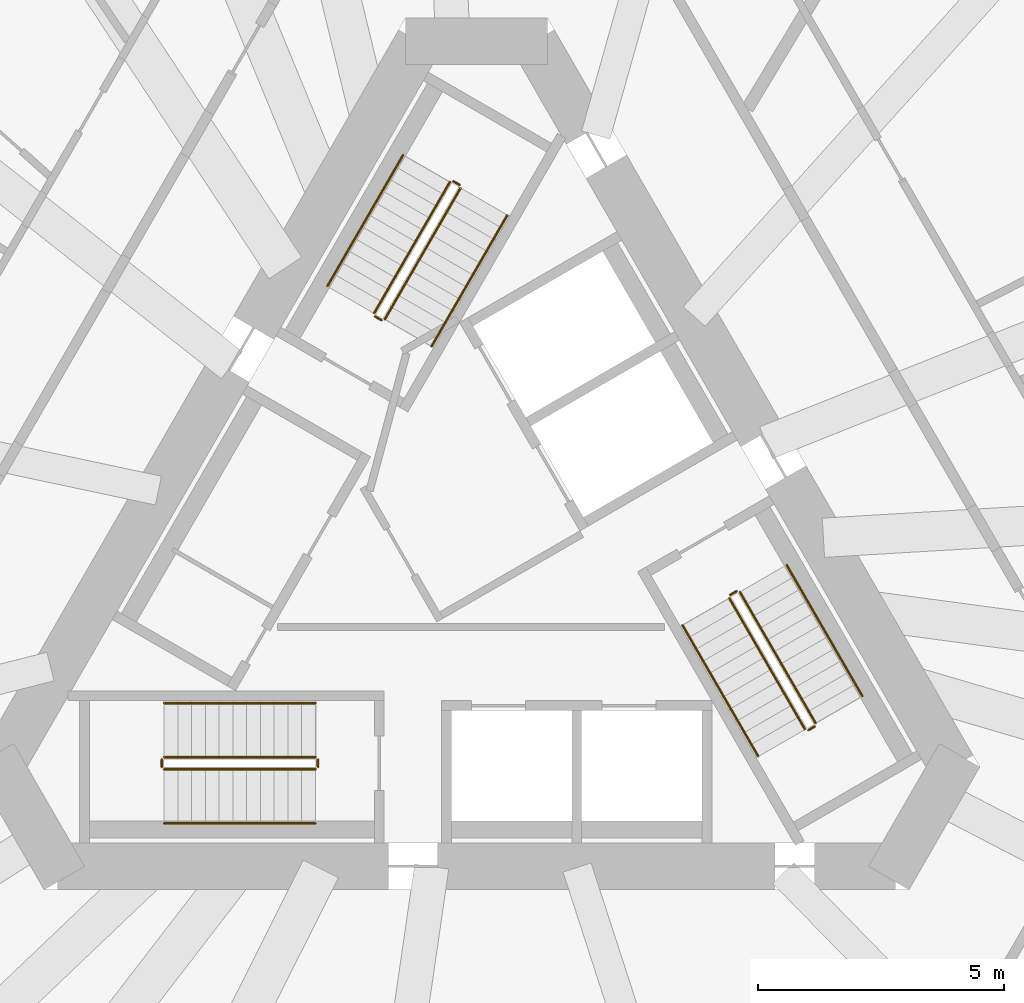
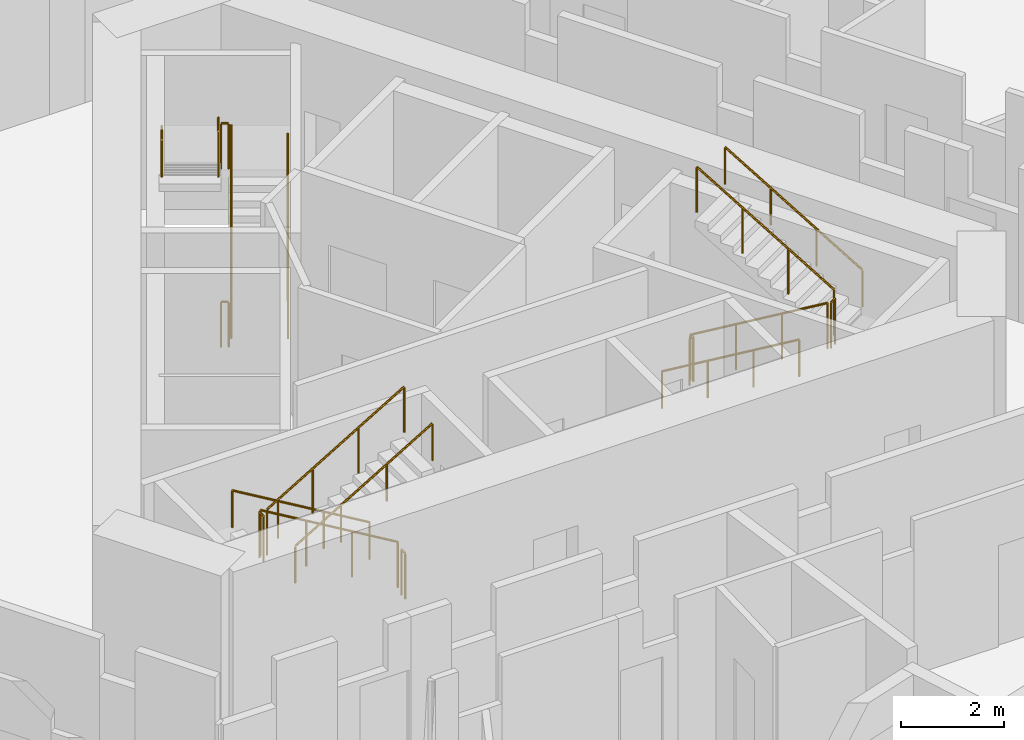
# One storey, part 12 of 13: 18 railings.
"""IFC4 building model written with IfcOpenShell, lengths in metres."""

from ifc_helpers import new_model, si_unit, direction, frame, origin, origin_2d, place, context, subcontext, project, spatial, circle, extrude, material, type_object, element, save


model = new_model("IFC4")

# Units and contexts
model_context = context("Model", 3, precision=1e-05, world=origin(), true_north=direction((0.0, 1.0)))
body_context = subcontext(model_context, "Body", "Model", "MODEL_VIEW")
ifc_project = project(units=[si_unit("LENGTHUNIT", "METRE"), si_unit("AREAUNIT", "SQUARE_METRE"), si_unit("VOLUMEUNIT", "CUBIC_METRE"), si_unit("PLANEANGLEUNIT", "RADIAN"), si_unit("MASSUNIT", "GRAM", prefix="KILO")], contexts=[model_context])

# Site, building, storey
site_placement = place(None, origin())
site = spatial("IfcSite", under=ifc_project, at=site_placement, CompositionType="ELEMENT")
building_placement = place(site_placement, origin())
building = spatial("IfcBuilding", under=site, at=building_placement, Name="Tramontana Tower", CompositionType="ELEMENT")
storey_placement = place(building_placement, frame((0.0, 0.0, 104.39990234375)))
storey = spatial("IfcBuildingStorey", under=building, at=storey_placement, Name="L23", CompositionType="ELEMENT", Elevation=104.39990234375)

# Railings
ifc_material_1 = material(Name="Painted steel", Category="steel")
railing_type_1 = type_object("IfcRailingType", Name="STAIR GUARD 1100", PredefinedType="GUARDRAIL", material=ifc_material_1)
railing_1_placement = place(storey_placement, frame((-1.867431640625, 4.865478515625, 0.166748046875)))
element("IfcRailing", 1, at=railing_1_placement, inside=storey, type_object=railing_type_1, Name="L23 ST1 stair guard 1", PredefinedType="GUARDRAIL", context=body_context, shape_type="SweptSolid", body=[
    extrude(circle(Radius=0.02392578125, at=origin_2d()), frame((0.0, 0.0, 1.076171875), z_axis=(0.429649414936, 0.744189839504, 0.511451721109), x_axis=(-0.866029832698, 0.499992328818, 0.0)), (0.0, 0.0, 1.0), 3.58447265625),
    extrude(circle(Radius=0.02099609375, at=origin_2d()), origin(), (0.0, 0.0, 1.0), 1.052001953125),
    extrude(circle(Radius=0.02099609375, at=origin_2d()), frame((0.513427734375, 0.88916015625, 0.611083984375)), (0.0, 0.0, 1.0), 1.052001953125),
    extrude(circle(Radius=0.02099609375, at=origin_2d()), frame((1.026611328125, 1.7783203125, 1.22216796875)), (0.0, 0.0, 1.0), 1.052001953125),
    extrude(circle(Radius=0.02099609375, at=origin_2d()), frame((1.5400390625, 2.66748046875, 1.833251953125)), (0.0, 0.0, 1.0), 1.052001953125),
])
railing_2_placement = place(storey_placement, frame((-0.5439453125, 7.657958984375, 2.166748046875)))
element("IfcRailing", 2, at=railing_2_placement, inside=storey, type_object=railing_type_1, Name="L23 ST1 stair guard 2", PredefinedType="GUARDRAIL", context=body_context, shape_type="SweptSolid", body=[
    extrude(circle(Radius=0.02392578125, at=origin_2d()), frame((0.0, 0.0, 1.076171875), z_axis=(-0.429649414936, -0.744189839504, 0.511451721109), x_axis=(0.866029832698, -0.499992328818, 0.0)), (0.0, 0.0, 1.0), 3.58447265625),
    extrude(circle(Radius=0.02099609375, at=origin_2d()), origin(), (0.0, 0.0, 1.0), 1.052001953125),
    extrude(circle(Radius=0.02099609375, at=origin_2d()), frame((-0.513427734375, -0.88916015625, 0.611083984375)), (0.0, 0.0, 1.0), 1.052001953125),
    extrude(circle(Radius=0.02099609375, at=origin_2d()), frame((-1.026611328125, -1.7783203125, 1.22216796875)), (0.0, 0.0, 1.0), 1.052001953125),
    extrude(circle(Radius=0.02099609375, at=origin_2d()), frame((-1.5400390625, -2.66748046875, 1.833251953125)), (0.0, 0.0, 1.0), 1.052001953125),
])
railing_3_placement = place(storey_placement, frame((-0.345703125, 7.601318359375, 2.0)))
element("IfcRailing", 3, at=railing_3_placement, inside=storey, type_object=railing_type_1, Name="L23 ST1 stair guard 3", PredefinedType="GUARDRAIL", context=body_context, shape_type="SweptSolid", body=[
    extrude(circle(Radius=0.02392578125, at=origin_2d()), frame((0.0, 0.0, 1.076171875), z_axis=(-0.866131372301, 0.499816412211, 0.0), x_axis=(-0.499816412211, -0.866131372301, 0.0)), (0.0, 0.0, 1.0), 0.14990234375),
    extrude(circle(Radius=0.02099609375, at=origin_2d()), origin(), (0.0, 0.0, 1.0), 1.052001953125),
    extrude(circle(Radius=0.02099609375, at=origin_2d()), frame((-0.1298828125, 0.074951171875, 0.0)), (0.0, 0.0, 1.0), 1.052001953125),
])
railing_4_placement = place(storey_placement, frame((-1.935791015625, 4.84716796875, 0.0)))
element("IfcRailing", 4, at=railing_4_placement, inside=storey, type_object=railing_type_1, Name="L23 ST1 stair guard 4", PredefinedType="GUARDRAIL", context=body_context, shape_type="SweptSolid", body=[
    extrude(circle(Radius=0.02392578125, at=origin_2d()), frame((0.0, 0.0, 1.076171875), z_axis=(-0.865426285481, 0.501036270542, 0.0), x_axis=(-0.501036270542, -0.865426285481, 0.0)), (0.0, 0.0, 1.0), 0.150146484375),
    extrude(circle(Radius=0.02099609375, at=origin_2d()), origin(), (0.0, 0.0, 1.0), 1.052001953125),
    extrude(circle(Radius=0.02099609375, at=origin_2d()), frame((-0.1298828125, 0.0751953125, 0.0)), (0.0, 0.0, 1.0), 1.052001953125),
])
railing_5_placement = place(storey_placement, frame((-3.280029296875, -4.050048828125, 0.166748046875)))
element("IfcRailing", 5, at=railing_5_placement, inside=storey, type_object=railing_type_1, Name="L23 ST2 stair guard 1", PredefinedType="GUARDRAIL", context=body_context, shape_type="SweptSolid", body=[
    extrude(circle(Radius=0.02392578125, at=origin_2d()), frame((0.0, 0.0, 1.076171875), z_axis=(-0.859308565015, 0.0, 0.511457515432), x_axis=(0.0, -1.0, 0.0)), (0.0, 0.0, 1.0), 3.58447265625),
    extrude(circle(Radius=0.02099609375, at=origin_2d()), origin(), (0.0, 0.0, 1.0), 1.052001953125),
    extrude(circle(Radius=0.02099609375, at=origin_2d()), frame((-1.026611328125, 0.0, 0.611083984375)), (0.0, 0.0, 1.0), 1.052001953125),
    extrude(circle(Radius=0.02099609375, at=origin_2d()), frame((-2.053466796875, 0.0, 1.22216796875)), (0.0, 0.0, 1.0), 1.052001953125),
    extrude(circle(Radius=0.02099609375, at=origin_2d()), frame((-3.080078125, 0.0, 1.833251953125)), (0.0, 0.0, 1.0), 1.052001953125),
])
railing_6_placement = place(storey_placement, frame((-6.360107421875, -4.300048828125, 2.166748046875)))
element("IfcRailing", 6, at=railing_6_placement, inside=storey, type_object=railing_type_1, Name="L23 ST2 stair guard 2", PredefinedType="GUARDRAIL", context=body_context, shape_type="SweptSolid", body=[
    extrude(circle(Radius=0.02392578125, at=origin_2d()), frame((0.0, 0.0, 1.076171875), z_axis=(0.859308565015, 0.0, 0.511457515432), x_axis=(0.0, 1.0, 0.0)), (0.0, 0.0, 1.0), 3.58447265625),
    extrude(circle(Radius=0.02099609375, at=origin_2d()), origin(), (0.0, 0.0, 1.0), 1.052001953125),
    extrude(circle(Radius=0.02099609375, at=origin_2d()), frame((1.026611328125, 0.0, 0.611083984375)), (0.0, 0.0, 1.0), 1.052001953125),
    extrude(circle(Radius=0.02099609375, at=origin_2d()), frame((2.053466796875, 0.0, 1.22216796875)), (0.0, 0.0, 1.0), 1.052001953125),
    extrude(circle(Radius=0.02099609375, at=origin_2d()), frame((3.080078125, 0.0, 1.833251953125)), (0.0, 0.0, 1.0), 1.052001953125),
])
for number, where, name in (
    (7, (-6.409912109375, -4.10009765625, 2.0), "L23 ST2 stair guard 3"),
    (8, (-3.22998046875, -4.10009765625, 0.0), "L23 ST2 stair guard 4"),
):
    element("IfcRailing", number, at=place(storey_placement, frame(where)), inside=storey, type_object=railing_type_1, Name=name, PredefinedType="GUARDRAIL", context=body_context, shape_type="SweptSolid", body=[
        extrude(circle(Radius=0.02392578125, at=origin_2d()), frame((0.0, 0.0, 1.076171875), z_axis=(0.0, -1.0, 0.0), x_axis=(1.0, 0.0, 0.0)), (0.0, 0.0, 1.0), 0.14990234375),
        extrude(circle(Radius=0.02099609375, at=origin_2d()), origin(), (0.0, 0.0, 1.0), 1.052001953125),
        extrude(circle(Radius=0.02099609375, at=origin_2d()), frame((0.0, -0.14990234375, 0.0)), (0.0, 0.0, 1.0), 1.052001953125),
    ])
railing_7_placement = place(storey_placement, frame((5.1474609375, -0.815673828125, 0.166748046875)))
element("IfcRailing", 9, at=railing_7_placement, inside=storey, type_object=railing_type_1, Name="L23 ST3 stair guard 1", PredefinedType="GUARDRAIL", context=body_context, shape_type="SweptSolid", body=[
    extrude(circle(Radius=0.02392578125, at=origin_2d()), frame((0.0, 0.0, 1.076171875), z_axis=(0.429671193721, -0.744159446956, 0.511477646425), x_axis=(0.866010015463, 0.500026652407, 0.0)), (0.0, 0.0, 1.0), 3.584228515625),
    extrude(circle(Radius=0.02099609375, at=origin_2d()), origin(), (0.0, 0.0, 1.0), 1.052001953125),
    extrude(circle(Radius=0.02099609375, at=origin_2d()), frame((0.513427734375, -0.88916015625, 0.611083984375)), (0.0, 0.0, 1.0), 1.052001953125),
    extrude(circle(Radius=0.02099609375, at=origin_2d()), frame((1.026611328125, -1.778076171875, 1.22216796875)), (0.0, 0.0, 1.0), 1.052001953125),
    extrude(circle(Radius=0.02099609375, at=origin_2d()), frame((1.5400390625, -2.667236328125, 1.833251953125)), (0.0, 0.0, 1.0), 1.052001953125),
])
railing_8_placement = place(storey_placement, frame((6.90380859375, -3.35791015625, 2.166748046875)))
element("IfcRailing", 10, at=railing_8_placement, inside=storey, type_object=railing_type_1, Name="L23 ST3 stair guard 2", PredefinedType="GUARDRAIL", context=body_context, shape_type="SweptSolid", body=[
    extrude(circle(Radius=0.02392578125, at=origin_2d()), frame((0.0, 0.0, 1.076171875), z_axis=(-0.429615651263, 0.74418122563, 0.511492615401), x_axis=(-0.866044340336, -0.499967199496, 0.0)), (0.0, 0.0, 1.0), 3.584228515625),
    extrude(circle(Radius=0.02099609375, at=origin_2d()), origin(), (0.0, 0.0, 1.0), 1.052001953125),
    extrude(circle(Radius=0.02099609375, at=origin_2d()), frame((-0.51318359375, 0.88916015625, 0.611083984375)), (0.0, 0.0, 1.0), 1.052001953125),
    extrude(circle(Radius=0.02099609375, at=origin_2d()), frame((-1.026611328125, 1.778076171875, 1.22216796875)), (0.0, 0.0, 1.0), 1.052001953125),
    extrude(circle(Radius=0.02099609375, at=origin_2d()), frame((-1.539794921875, 2.667236328125, 1.833251953125)), (0.0, 0.0, 1.0), 1.052001953125),
])
for number, where, name in (
    (11, (6.755615234375, -3.501220703125, 2.0), "L23 ST3 stair guard 3"),
    (12, (5.165771484375, -0.747314453125, 0.0), "L23 ST3 stair guard 4"),
):
    element("IfcRailing", number, at=place(storey_placement, frame(where)), inside=storey, type_object=railing_type_1, Name=name, PredefinedType="GUARDRAIL", context=body_context, shape_type="SweptSolid", body=[
        extrude(circle(Radius=0.02392578125, at=origin_2d()), frame((0.0, 0.0, 1.076171875), z_axis=(0.866131372301, 0.499816412211, 0.0), x_axis=(-0.499816412211, 0.866131372301, 0.0)), (0.0, 0.0, 1.0), 0.14990234375),
        extrude(circle(Radius=0.02099609375, at=origin_2d()), origin(), (0.0, 0.0, 1.0), 1.052001953125),
        extrude(circle(Radius=0.02099609375, at=origin_2d()), frame((0.1298828125, 0.074951171875, 0.0)), (0.0, 0.0, 1.0), 1.052001953125),
    ])
ifc_material_2 = material(Name="Painted steel", Category="steel")
railing_type_2 = type_object("IfcRailingType", Name="STAIR HANDRAIL 900", PredefinedType="HANDRAIL", material=ifc_material_2)
railing_9_placement = place(storey_placement, frame((-0.914794921875, 4.315673828125, 0.166748046875)))
element("IfcRailing", 13, at=railing_9_placement, inside=storey, type_object=railing_type_2, Name="L23 ST1 stair handrail 1", PredefinedType="HANDRAIL", context=body_context, shape_type="SweptSolid", body=[
    extrude(circle(Radius=0.02392578125, at=origin_2d()), frame((0.0, 0.0, 0.8759765625), z_axis=(0.429671193721, 0.744159446956, 0.511477646425), x_axis=(-0.866010015463, 0.500026652407, 0.0)), (0.0, 0.0, 1.0), 3.584228515625),
    extrude(circle(Radius=0.02099609375, at=origin_2d()), origin(), (0.0, 0.0, 1.0), 0.851806640625),
    extrude(circle(Radius=0.02099609375, at=origin_2d()), frame((0.513427734375, 0.88916015625, 0.611083984375)), (0.0, 0.0, 1.0), 0.851806640625),
    extrude(circle(Radius=0.02099609375, at=origin_2d()), frame((1.026611328125, 1.778076171875, 1.22216796875)), (0.0, 0.0, 1.0), 0.851806640625),
    extrude(circle(Radius=0.02099609375, at=origin_2d()), frame((1.5400390625, 2.667236328125, 1.833251953125)), (0.0, 0.0, 1.0), 0.851806640625),
])
railing_10_placement = place(storey_placement, frame((-1.49658203125, 8.2080078125, 2.166748046875)))
element("IfcRailing", 14, at=railing_10_placement, inside=storey, type_object=railing_type_2, Name="L23 ST1 stair handrail 2", PredefinedType="HANDRAIL", context=body_context, shape_type="SweptSolid", body=[
    extrude(circle(Radius=0.02392578125, at=origin_2d()), frame((0.0, 0.0, 0.8759765625), z_axis=(-0.429649414936, -0.744189839504, 0.511451721109), x_axis=(0.866029832698, -0.499992328818, 0.0)), (0.0, 0.0, 1.0), 3.58447265625),
    extrude(circle(Radius=0.02099609375, at=origin_2d()), origin(), (0.0, 0.0, 1.0), 0.851806640625),
    extrude(circle(Radius=0.02099609375, at=origin_2d()), frame((-0.513427734375, -0.88916015625, 0.611083984375)), (0.0, 0.0, 1.0), 0.851806640625),
    extrude(circle(Radius=0.02099609375, at=origin_2d()), frame((-1.026611328125, -1.7783203125, 1.22216796875)), (0.0, 0.0, 1.0), 0.851806640625),
    extrude(circle(Radius=0.02099609375, at=origin_2d()), frame((-1.5400390625, -2.66748046875, 1.833251953125)), (0.0, 0.0, 1.0), 0.851806640625),
])
railing_11_placement = place(storey_placement, frame((-3.280029296875, -2.949951171875, 0.166748046875)))
element("IfcRailing", 15, at=railing_11_placement, inside=storey, type_object=railing_type_2, Name="L23 ST2 stair handrail 1", PredefinedType="HANDRAIL", context=body_context, shape_type="SweptSolid", body=[
    extrude(circle(Radius=0.02392578125, at=origin_2d()), frame((0.0, 0.0, 0.8759765625), z_axis=(-0.859308565015, 0.0, 0.511457515432), x_axis=(0.0, -1.0, 0.0)), (0.0, 0.0, 1.0), 3.58447265625),
    extrude(circle(Radius=0.02099609375, at=origin_2d()), origin(), (0.0, 0.0, 1.0), 0.851806640625),
    extrude(circle(Radius=0.02099609375, at=origin_2d()), frame((-1.026611328125, 0.0, 0.611083984375)), (0.0, 0.0, 1.0), 0.851806640625),
    extrude(circle(Radius=0.02099609375, at=origin_2d()), frame((-2.053466796875, 0.0, 1.22216796875)), (0.0, 0.0, 1.0), 0.851806640625),
    extrude(circle(Radius=0.02099609375, at=origin_2d()), frame((-3.080078125, 0.0, 1.833251953125)), (0.0, 0.0, 1.0), 0.851806640625),
])
railing_12_placement = place(storey_placement, frame((-6.360107421875, -5.39990234375, 2.166748046875)))
element("IfcRailing", 16, at=railing_12_placement, inside=storey, type_object=railing_type_2, Name="L23 ST2 stair handrail 2", PredefinedType="HANDRAIL", context=body_context, shape_type="SweptSolid", body=[
    extrude(circle(Radius=0.02392578125, at=origin_2d()), frame((0.0, 0.0, 0.8759765625), z_axis=(0.859308565015, 0.0, 0.511457515432), x_axis=(0.0, 1.0, 0.0)), (0.0, 0.0, 1.0), 3.58447265625),
    extrude(circle(Radius=0.02099609375, at=origin_2d()), origin(), (0.0, 0.0, 1.0), 0.851806640625),
    extrude(circle(Radius=0.02099609375, at=origin_2d()), frame((1.026611328125, 0.0, 0.611083984375)), (0.0, 0.0, 1.0), 0.851806640625),
    extrude(circle(Radius=0.02099609375, at=origin_2d()), frame((2.053466796875, 0.0, 1.22216796875)), (0.0, 0.0, 1.0), 0.851806640625),
    extrude(circle(Radius=0.02099609375, at=origin_2d()), frame((3.080078125, 0.0, 1.833251953125)), (0.0, 0.0, 1.0), 0.851806640625),
])
railing_13_placement = place(storey_placement, frame((4.19482421875, -1.365478515625, 0.166748046875)))
element("IfcRailing", 17, at=railing_13_placement, inside=storey, type_object=railing_type_2, Name="L23 ST3 stair handrail 1", PredefinedType="HANDRAIL", context=body_context, shape_type="SweptSolid", body=[
    extrude(circle(Radius=0.02392578125, at=origin_2d()), frame((0.0, 0.0, 0.8759765625), z_axis=(0.429649414936, -0.744189839504, 0.511451721109), x_axis=(0.866029832698, 0.499992328818, 0.0)), (0.0, 0.0, 1.0), 3.58447265625),
    extrude(circle(Radius=0.02099609375, at=origin_2d()), origin(), (0.0, 0.0, 1.0), 0.851806640625),
    extrude(circle(Radius=0.02099609375, at=origin_2d()), frame((0.513427734375, -0.88916015625, 0.611083984375)), (0.0, 0.0, 1.0), 0.851806640625),
    extrude(circle(Radius=0.02099609375, at=origin_2d()), frame((1.026611328125, -1.7783203125, 1.22216796875)), (0.0, 0.0, 1.0), 0.851806640625),
    extrude(circle(Radius=0.02099609375, at=origin_2d()), frame((1.5400390625, -2.66748046875, 1.833251953125)), (0.0, 0.0, 1.0), 0.851806640625),
])
railing_14_placement = place(storey_placement, frame((7.8564453125, -2.807861328125, 2.166748046875)))
element("IfcRailing", 18, at=railing_14_placement, inside=storey, type_object=railing_type_2, Name="L23 ST3 stair handrail 2", PredefinedType="HANDRAIL", context=body_context, shape_type="SweptSolid", body=[
    extrude(circle(Radius=0.02392578125, at=origin_2d()), frame((0.0, 0.0, 0.8759765625), z_axis=(-0.429615651263, 0.74418122563, 0.511492615401), x_axis=(-0.866044340336, -0.499967199496, 0.0)), (0.0, 0.0, 1.0), 3.584228515625),
    extrude(circle(Radius=0.02099609375, at=origin_2d()), origin(), (0.0, 0.0, 1.0), 0.851806640625),
    extrude(circle(Radius=0.02099609375, at=origin_2d()), frame((-0.51318359375, 0.88916015625, 0.611083984375)), (0.0, 0.0, 1.0), 0.851806640625),
    extrude(circle(Radius=0.02099609375, at=origin_2d()), frame((-1.026611328125, 1.778076171875, 1.22216796875)), (0.0, 0.0, 1.0), 0.851806640625),
    extrude(circle(Radius=0.02099609375, at=origin_2d()), frame((-1.539794921875, 2.667236328125, 1.833251953125)), (0.0, 0.0, 1.0), 0.851806640625),
])

save(model, "model.ifc")
